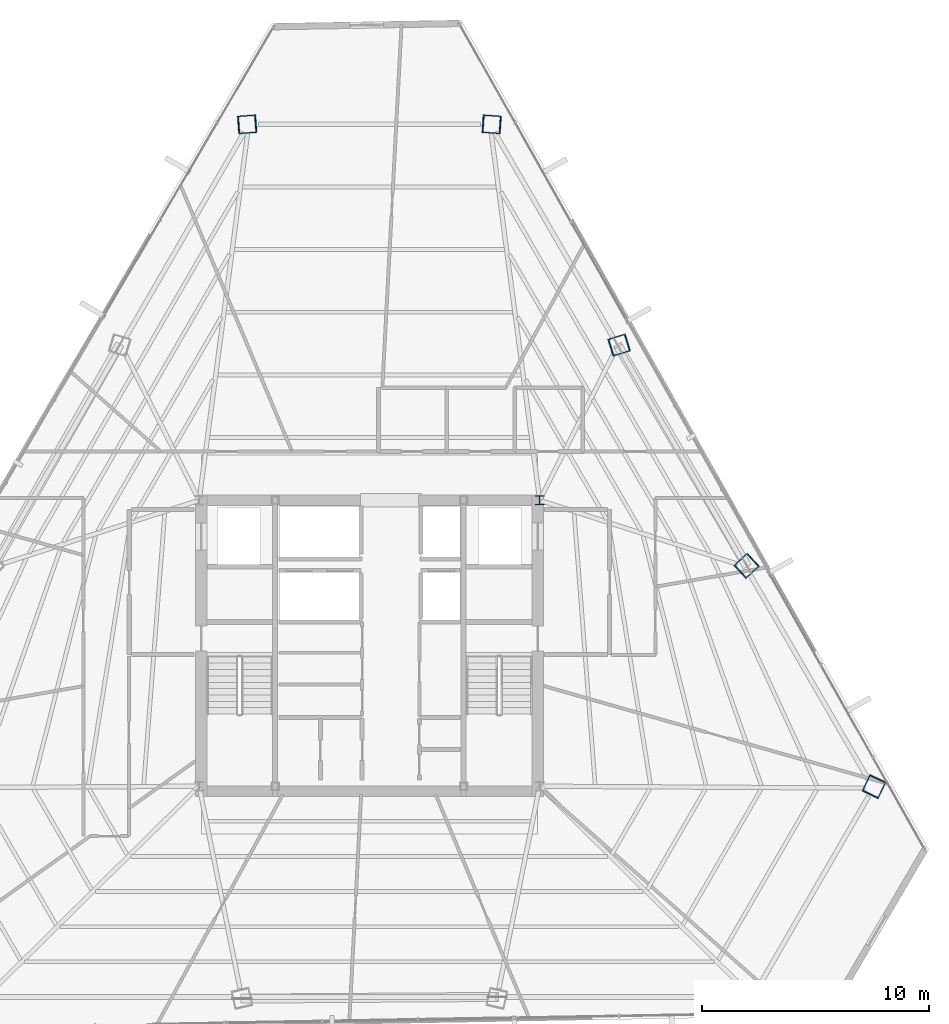
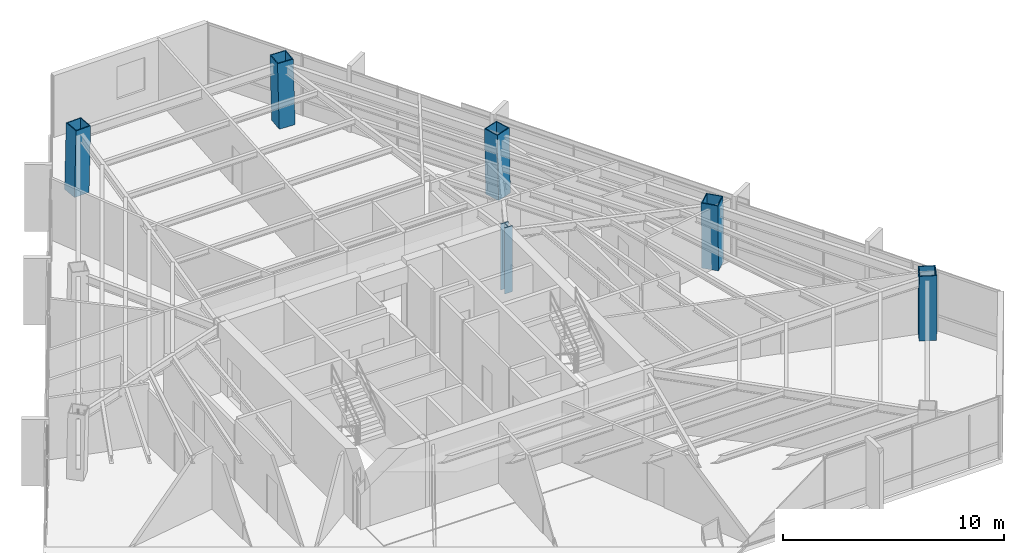
# One storey, part 2 of 42: 6 columns.
"""IFC4 building model written with IfcOpenShell, lengths in metres."""

from ifc_helpers import new_model, si_unit, direction, frame, origin, origin_2d, place, context, subcontext, project, spatial, hollow_rectangle, i_section, extrude, source, transform, mapped, material, material_profile, profile_set, type_object, type_shapes, element, save


model = new_model("IFC4")

# Units and contexts
model_context = context("Model", 3, precision=1e-05, world=origin(), true_north=direction((0.0, 1.0)))
body_context = subcontext(model_context, "Body", "Model", "MODEL_VIEW")
ifc_project = project(units=[si_unit("LENGTHUNIT", "METRE"), si_unit("AREAUNIT", "SQUARE_METRE"), si_unit("VOLUMEUNIT", "CUBIC_METRE"), si_unit("PLANEANGLEUNIT", "RADIAN"), si_unit("MASSUNIT", "GRAM", prefix="KILO")], contexts=[model_context])

# Site, building, storey
site_placement = place(None, origin())
site = spatial("IfcSite", under=ifc_project, at=site_placement, CompositionType="ELEMENT")
building_placement = place(site_placement, origin())
building = spatial("IfcBuilding", under=site, at=building_placement, Name="Caelisora Broadcast Tower", CompositionType="ELEMENT")
storey_placement = place(building_placement, frame((0.0, 0.0, 191.35009765625)))
storey = spatial("IfcBuildingStorey", under=building, at=storey_placement, Name="L50", CompositionType="ELEMENT", Elevation=191.35009765625)

# Columns
ifc_material_1 = material(Name="Steel Grade 350 (AS/NZS 3679.2)", Category="steel")
ifc_material_profile_1 = material_profile(ifc_material_1, i_section(OverallWidth=0.39990234375, OverallDepth=0.39990234375, WebThickness=0.02001953125, FlangeThickness=0.031982421875, at=origin_2d()), Name="Steel Grade 350 (AS/NZS 3679.2)")
ifc_profile_set_1 = profile_set([ifc_material_profile_1], Name="Steel Grade 350 (AS/NZS 3679.2)")
column_type_1 = type_object("IfcColumnType", Name="CC02", PredefinedType="COLUMN", material=ifc_profile_set_1)
shared_shape_1 = source(origin(), body_context, "Body", "SweptSolid", [
    extrude(i_section(OverallWidth=0.39990234375, OverallDepth=0.39990234375, WebThickness=0.02001953125, FlangeThickness=0.031982421875, at=origin_2d()), origin(), (0.0, 0.0, 1.0), 3.64990234375),
])
type_shapes(column_type_1, [shared_shape_1])
column_placement = place(storey_placement, frame((45.5, 30.0, 0.0), z_axis=(0.0, 0.0, 1.0), x_axis=(1.0, 0.0, 0.0)))
element("IfcColumn", 1, at=column_placement, inside=storey, type_object=column_type_1, Name="L50 column CC02", PredefinedType="COLUMN", context=body_context, shape_type="MappedRepresentation", body=[
    mapped(shared_shape_1, transform((0.0, 0.0, 0.0), scale=1.0)),
])
ifc_material_2 = material(Name="Steel Grade 350 L15 (AS/NZS 3678)", Category="steel")
ifc_material_profile_2 = material_profile(ifc_material_2, hollow_rectangle(XDim=0.800048828125, YDim=0.800048828125, WallThickness=0.044921875, at=origin_2d()), Name="Steel Grade 350 L15 (AS/NZS 3678)")
ifc_profile_set_2 = profile_set([ifc_material_profile_2], Name="Steel Grade 350 L15 (AS/NZS 3678)")
column_type_2 = type_object("IfcColumnType", Name="MC05", PredefinedType="COLUMN", material=ifc_profile_set_2)
shared_shape_2 = source(origin(), body_context, "Body", "SweptSolid", [
    extrude(hollow_rectangle(XDim=0.800048828125, YDim=0.800048828125, WallThickness=0.044921875, at=origin_2d()), origin(), (0.0, 0.0, 1.0), 3.65087890625),
])
for number, where, z_axis, x_axis, name in (
    (2, (43.39990234375, 46.560302734375, 0.0), (-0.023872756997, 0.001738632162, 0.999713493273), (-0.07263675076, -0.997358462359, 0.0), "L50 column MC05"),
    (3, (32.60009765625, 46.560302734375, 0.0), (0.023872756997, 0.001738632162, 0.999713493273), (-0.07263675076, 0.997358462359, 0.0), "L50 column MC05"),
    (4, (60.237548828125, 17.396484375, 0.0), (-0.010364917199, -0.021599150033, 0.999712981415), (0.901566609123, -0.432640323264, 0.0), "L50 column MC05"),
):
    element("IfcColumn", number, at=place(storey_placement, frame(where, z_axis=z_axis, x_axis=x_axis)), inside=storey, type_object=column_type_2, Name=name, PredefinedType="COLUMN", context=body_context, shape_type="MappedRepresentation", body=[
        mapped(shared_shape_2, transform((0.0, 0.0, 0.0), scale=1.0)),
    ])
shared_shape_3 = source(origin(), body_context, "Body", "SweptSolid", [
    extrude(hollow_rectangle(XDim=0.800048828125, YDim=0.800048828125, WallThickness=0.044921875, at=origin_2d()), origin(), (0.0, 0.0, 1.0), 3.650634765625),
])
type_shapes(column_type_2, [shared_shape_2, shared_shape_3])
for number, where, z_axis, x_axis, name in (
    (5, (54.625, 27.11767578125, 0.0), (-0.014913313399, -0.013776424037, 0.999793880369), (0.678553674548, -0.734550822447, 0.0), "L50 column MC05"),
    (6, (49.012451171875, 36.8388671875, 0.0), (-0.019393993486, -0.006018825565, 0.999793802119), (0.296399214872, -0.955064136811, 0.0), "L50 column MC05"),
):
    element("IfcColumn", number, at=place(storey_placement, frame(where, z_axis=z_axis, x_axis=x_axis)), inside=storey, type_object=column_type_2, Name=name, PredefinedType="COLUMN", context=body_context, shape_type="MappedRepresentation", body=[
        mapped(shared_shape_3, transform((0.0, 0.0, 0.0), scale=1.0)),
    ])

save(model, "model.ifc")
